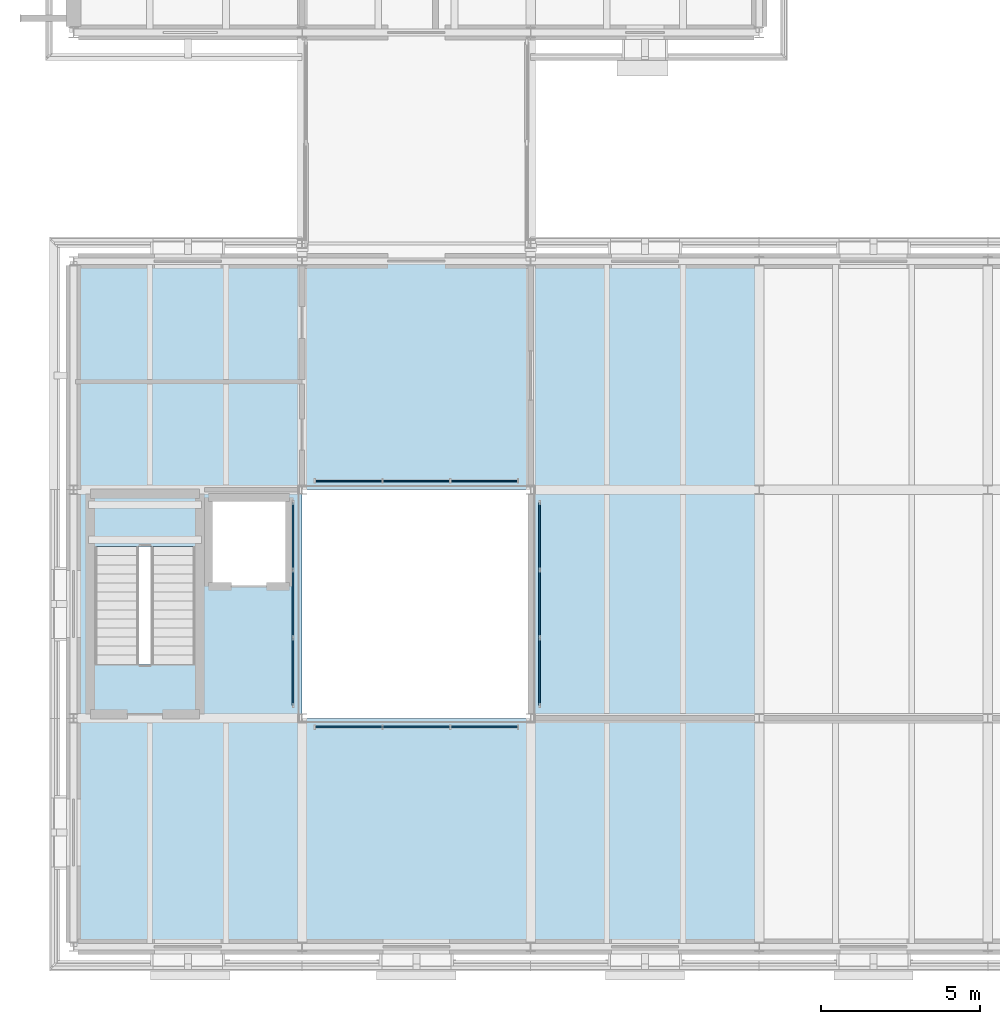
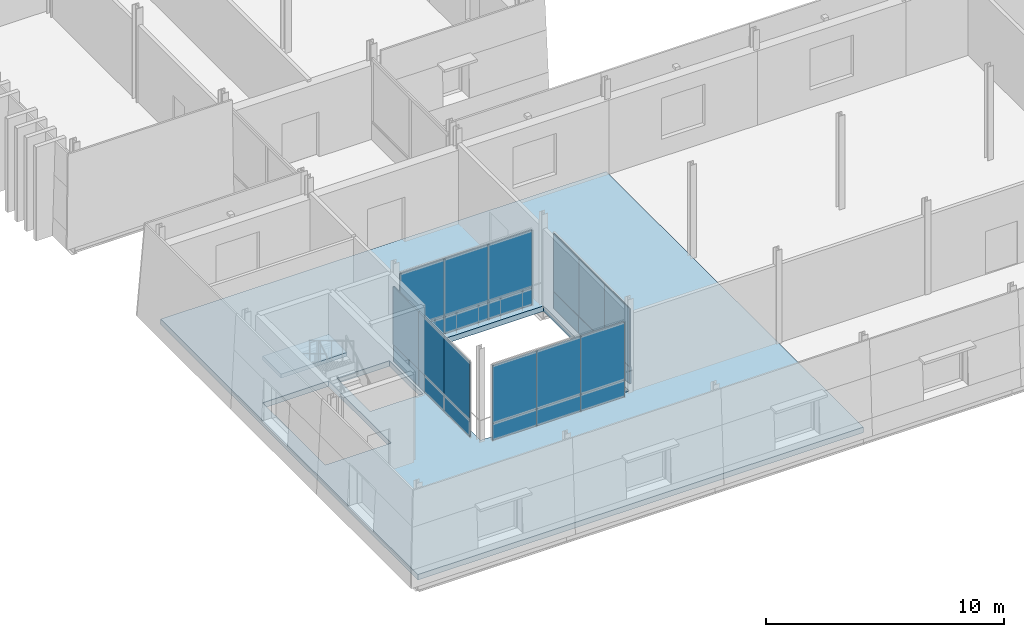
# One storey, part 50 of 121: 24 plates, 2 slabs, 5 elements without a shape of their own.
"""IFC4 building model written with IfcOpenShell, lengths in metres."""

from ifc_helpers import new_model, si_unit, direction, frame, origin, origin_2d, place, context, subcontext, project, spatial, polyline, rectangle, outline, extrude, material, layer, layer_set, type_object, element, aggregate, save


model = new_model("IFC4")

# Units and contexts
model_context = context("Model", 3, precision=1e-05, world=origin(), true_north=direction((0.0, 1.0)))
body_context = subcontext(model_context, "Body", "Model", "MODEL_VIEW")
ifc_project = project(units=[si_unit("LENGTHUNIT", "METRE"), si_unit("AREAUNIT", "SQUARE_METRE"), si_unit("VOLUMEUNIT", "CUBIC_METRE"), si_unit("PLANEANGLEUNIT", "RADIAN"), si_unit("MASSUNIT", "GRAM", prefix="KILO")], contexts=[model_context])

# Site, building, storey
site_placement = place(None, origin())
site = spatial("IfcSite", under=ifc_project, at=site_placement, CompositionType="ELEMENT")
building_placement = place(site_placement, origin())
building = spatial("IfcBuilding", under=site, at=building_placement, Name="Narikvali Park Central Library", CompositionType="ELEMENT")
storey_placement = place(building_placement, frame((0.0, 0.0, 5.39990234375)))
storey = spatial("IfcBuildingStorey", under=building, at=storey_placement, Name="L01", CompositionType="ELEMENT", Elevation=5.39990234375)

# Slab
ifc_material_1 = material(Name="Concrete C35/45", Category="concrete")
ifc_layer_1 = layer(ifc_material_1, 0.280029296875, Name="Concrete C35/45")
ifc_layer_set_1 = layer_set([ifc_layer_1], Name="Concrete C35/45")
slab_type_1 = type_object("IfcSlabType", Name="Composite Reading Floor Slab 280", PredefinedType="FLOOR", material=ifc_layer_set_1)
slab_1_placement = place(storey_placement, frame((0.0, 0.0, -0.27978515625)))
element("IfcSlab", 1, at=slab_1_placement, inside=storey, type_object=slab_type_1, Name="V2 L01 Structural Slab Panel 1", PredefinedType="FLOOR", context=body_context, shape_type="SweptSolid", body=[
    extrude(outline(polyline([(0.0, 0.0), (21.60009765625, 0.0), (21.60009765625, 21.60009765625), (0.0, 21.60009765625), (0.0, 0.0)]), holes=[polyline([(0.64990234375, 8.89990234375), (3.85009765625, 8.89990234375), (3.85009765625, 14.14990234375), (0.64990234375, 14.14990234375), (0.64990234375, 8.89990234375)]), polyline([(4.25, 11.35009765625), (6.800048828125, 11.35009765625), (6.800048828125, 14.14990234375), (4.25, 14.14990234375), (4.25, 11.35009765625)]), polyline([(7.199951171875, 7.199951171875), (14.39990234375, 7.199951171875), (14.39990234375, 14.39990234375), (7.199951171875, 14.39990234375), (7.199951171875, 7.199951171875)])]), origin(), (0.0, 0.0, 1.0), 0.27978515625),
])

# Curtain wall, plates
ifc_material_2 = material(Name="Anodised Bronze Aluminium", Category="aluminium")
ifc_layer_2 = layer(ifc_material_2, 0.219970703125, Name="Anodised Bronze Aluminium")
ifc_layer_set_2 = layer_set([ifc_layer_2], Name="Anodised Bronze Aluminium")
curtain_wall_type = type_object("IfcCurtainWallType", Name="Atrium Tall Curtain Wall System", PredefinedType="NOTDEFINED", material=ifc_layer_set_2)
curtain_wall_1_placement = place(storey_placement, origin())
curtain_wall_1 = element("IfcCurtainWall", 2, at=curtain_wall_1_placement, inside=storey, type_object=curtain_wall_type, Name="Atrium Tall Curtain Wall System CW-INT-V2-L01-W1", PredefinedType="NOTDEFINED")
ifc_material_3 = material(Name="Heavy Acoustic Laminated Clerestory Glazing", Category="glass")
ifc_layer_3 = layer(ifc_material_3, 0.06396484375, Name="Heavy Acoustic Laminated Clerestory Glazing")
ifc_layer_set_3 = layer_set([ifc_layer_3], Name="Heavy Acoustic Laminated Clerestory Glazing")
plate_type_1 = type_object("IfcPlateType", Name="Curtain Wall Clerestory Laminated Acoustic Glass 64", PredefinedType="CURTAIN_PANEL", material=ifc_layer_set_3)
plate_1_placement = place(storey_placement, frame((6.919921875, 8.666748046875, 0.905029296875), z_axis=(0.0, 0.0, 1.0), x_axis=(0.0, 1.0, 0.0)))
plate_1 = element("IfcPlate", 3, at=plate_1_placement, type_object=plate_type_1, Name="CW-INT-V2-L01-W1 Panel 00-1", PredefinedType="CURTAIN_PANEL", context=body_context, shape_type="SweptSolid", body=[
    extrude(rectangle(XDim=2.123291015625, YDim=0.06396484375, at=origin_2d()), origin(), (0.0, 0.0, 1.0), 2.9599609375),
])
plate_2_placement = place(storey_placement, frame((6.919921875, 10.800048828125, 0.905029296875), z_axis=(0.0, 0.0, 1.0), x_axis=(0.0, 1.0, 0.0)))
plate_2 = element("IfcPlate", 4, at=plate_2_placement, type_object=plate_type_1, Name="CW-INT-V2-L01-W1 Panel 01-1", PredefinedType="CURTAIN_PANEL", context=body_context, shape_type="SweptSolid", body=[
    extrude(rectangle(XDim=2.123291015625, YDim=0.06396484375, at=origin_2d()), origin(), (0.0, 0.0, 1.0), 2.9599609375),
])
plate_3_placement = place(storey_placement, frame((6.919921875, 12.933349609375, 0.905029296875), z_axis=(0.0, 0.0, 1.0), x_axis=(0.0, 1.0, 0.0)))
plate_3 = element("IfcPlate", 5, at=plate_3_placement, type_object=plate_type_1, Name="CW-INT-V2-L01-W1 Panel 02-1", PredefinedType="CURTAIN_PANEL", context=body_context, shape_type="SweptSolid", body=[
    extrude(rectangle(XDim=2.123291015625, YDim=0.06396484375, at=origin_2d()), origin(), (0.0, 0.0, 1.0), 2.9599609375),
])

curtain_wall_2_placement = place(storey_placement, origin())
curtain_wall_2 = element("IfcCurtainWall", 6, at=curtain_wall_2_placement, inside=storey, type_object=curtain_wall_type, Name="Atrium Tall Curtain Wall System CW-INT-V2-L01-E1", PredefinedType="NOTDEFINED")
plate_4_placement = place(storey_placement, frame((14.679931640625, 8.666748046875, 0.03515625), z_axis=(0.0, 0.0, 1.0), x_axis=(0.0, 1.0, 0.0)))
plate_4 = element("IfcPlate", 7, at=plate_4_placement, type_object=plate_type_1, Name="CW-INT-V2-L01-E1 Panel 00-0", PredefinedType="CURTAIN_PANEL", context=body_context, shape_type="SweptSolid", body=[
    extrude(rectangle(XDim=2.123291015625, YDim=0.06396484375, at=origin_2d()), origin(), (0.0, 0.0, 1.0), 0.860107421875),
])
plate_5_placement = place(storey_placement, frame((14.679931640625, 10.800048828125, 0.03515625), z_axis=(0.0, 0.0, 1.0), x_axis=(0.0, 1.0, 0.0)))
plate_5 = element("IfcPlate", 8, at=plate_5_placement, type_object=plate_type_1, Name="CW-INT-V2-L01-E1 Panel 01-0", PredefinedType="CURTAIN_PANEL", context=body_context, shape_type="SweptSolid", body=[
    extrude(rectangle(XDim=2.123291015625, YDim=0.06396484375, at=origin_2d()), origin(), (0.0, 0.0, 1.0), 0.860107421875),
])
plate_6_placement = place(storey_placement, frame((14.679931640625, 12.933349609375, 0.03515625), z_axis=(0.0, 0.0, 1.0), x_axis=(0.0, 1.0, 0.0)))
plate_6 = element("IfcPlate", 9, at=plate_6_placement, type_object=plate_type_1, Name="CW-INT-V2-L01-E1 Panel 02-0", PredefinedType="CURTAIN_PANEL", context=body_context, shape_type="SweptSolid", body=[
    extrude(rectangle(XDim=2.123291015625, YDim=0.06396484375, at=origin_2d()), origin(), (0.0, 0.0, 1.0), 0.860107421875),
])

curtain_wall_3_placement = place(storey_placement, origin())
curtain_wall_3 = element("IfcCurtainWall", 10, at=curtain_wall_3_placement, inside=storey, type_object=curtain_wall_type, Name="Atrium Tall Curtain Wall System CW-INT-V2-L01-S1", PredefinedType="NOTDEFINED")
plate_7_placement = place(storey_placement, frame((8.666748046875, 6.919921875, 0.905029296875), z_axis=(0.0, 0.0, 1.0), x_axis=(1.0, 0.0, 0.0)))
plate_7 = element("IfcPlate", 11, at=plate_7_placement, type_object=plate_type_1, Name="CW-INT-V2-L01-S1 Panel 00-1", PredefinedType="CURTAIN_PANEL", context=body_context, shape_type="SweptSolid", body=[
    extrude(rectangle(XDim=2.123291015625, YDim=0.06396484375, at=origin_2d()), origin(), (0.0, 0.0, 1.0), 2.9599609375),
])
plate_8_placement = place(storey_placement, frame((10.800048828125, 6.919921875, 0.905029296875), z_axis=(0.0, 0.0, 1.0), x_axis=(1.0, 0.0, 0.0)))
plate_8 = element("IfcPlate", 12, at=plate_8_placement, type_object=plate_type_1, Name="CW-INT-V2-L01-S1 Panel 01-1", PredefinedType="CURTAIN_PANEL", context=body_context, shape_type="SweptSolid", body=[
    extrude(rectangle(XDim=2.123291015625, YDim=0.06396484375, at=origin_2d()), origin(), (0.0, 0.0, 1.0), 2.9599609375),
])
plate_9_placement = place(storey_placement, frame((12.933349609375, 6.919921875, 0.905029296875), z_axis=(0.0, 0.0, 1.0), x_axis=(1.0, 0.0, 0.0)))
plate_9 = element("IfcPlate", 13, at=plate_9_placement, type_object=plate_type_1, Name="CW-INT-V2-L01-S1 Panel 02-1", PredefinedType="CURTAIN_PANEL", context=body_context, shape_type="SweptSolid", body=[
    extrude(rectangle(XDim=2.123291015625, YDim=0.06396484375, at=origin_2d()), origin(), (0.0, 0.0, 1.0), 2.9599609375),
])

# Plate
ifc_material_4 = material(Name="Double Low-E Tempered Vision Glazing", Category="glass")
ifc_layer_4 = layer(ifc_material_4, 0.035888671875, Name="Double Low-E Tempered Vision Glazing")
ifc_layer_set_4 = layer_set([ifc_layer_4], Name="Double Low-E Tempered Vision Glazing")
plate_type_2 = type_object("IfcPlateType", Name="Curtain Wall Double Low-E Vision Glazing 36", PredefinedType="CURTAIN_PANEL", material=ifc_layer_set_4)
plate_10_placement = place(storey_placement, frame((14.679931640625, 8.666748046875, 0.905029296875), z_axis=(0.0, 0.0, 1.0), x_axis=(0.0, 1.0, 0.0)))
plate_10 = element("IfcPlate", 14, at=plate_10_placement, type_object=plate_type_2, Name="CW-INT-V2-L01-E1 Panel 00-1", PredefinedType="CURTAIN_PANEL", context=body_context, shape_type="SweptSolid", body=[
    extrude(rectangle(XDim=2.123291015625, YDim=0.035888671875, at=origin_2d()), origin(), (0.0, 0.0, 1.0), 2.9599609375),
])

plate_11_placement = place(storey_placement, frame((14.679931640625, 10.800048828125, 0.905029296875), z_axis=(0.0, 0.0, 1.0), x_axis=(0.0, 1.0, 0.0)))
plate_11 = element("IfcPlate", 15, at=plate_11_placement, type_object=plate_type_2, Name="CW-INT-V2-L01-E1 Panel 01-1", PredefinedType="CURTAIN_PANEL", context=body_context, shape_type="SweptSolid", body=[
    extrude(rectangle(XDim=2.123291015625, YDim=0.035888671875, at=origin_2d()), origin(), (0.0, 0.0, 1.0), 2.9599609375),
])

plate_12_placement = place(storey_placement, frame((14.679931640625, 12.933349609375, 0.905029296875), z_axis=(0.0, 0.0, 1.0), x_axis=(0.0, 1.0, 0.0)))
plate_12 = element("IfcPlate", 16, at=plate_12_placement, type_object=plate_type_2, Name="CW-INT-V2-L01-E1 Panel 02-1", PredefinedType="CURTAIN_PANEL", context=body_context, shape_type="SweptSolid", body=[
    extrude(rectangle(XDim=2.123291015625, YDim=0.035888671875, at=origin_2d()), origin(), (0.0, 0.0, 1.0), 2.9599609375),
])

aggregate(curtain_wall_2, [plate_4, plate_10, plate_5, plate_11, plate_6, plate_12])

# Curtain wall, plates
curtain_wall_4_placement = place(storey_placement, origin())
curtain_wall_4 = element("IfcCurtainWall", 17, at=curtain_wall_4_placement, inside=storey, type_object=curtain_wall_type, Name="Atrium Tall Curtain Wall System CW-INT-V2-L01-N1", PredefinedType="NOTDEFINED")
plate_13_placement = place(storey_placement, frame((8.666748046875, 14.679931640625, 0.03515625), z_axis=(0.0, 0.0, 1.0), x_axis=(1.0, 0.0, 0.0)))
plate_13 = element("IfcPlate", 18, at=plate_13_placement, type_object=plate_type_2, Name="CW-INT-V2-L01-N1 Panel 00-0", PredefinedType="CURTAIN_PANEL", context=body_context, shape_type="SweptSolid", body=[
    extrude(rectangle(XDim=2.123291015625, YDim=0.035888671875, at=origin_2d()), origin(), (0.0, 0.0, 1.0), 0.860107421875),
])
plate_14_placement = place(storey_placement, frame((10.800048828125, 14.679931640625, 0.03515625), z_axis=(0.0, 0.0, 1.0), x_axis=(1.0, 0.0, 0.0)))
plate_14 = element("IfcPlate", 19, at=plate_14_placement, type_object=plate_type_2, Name="CW-INT-V2-L01-N1 Panel 01-0", PredefinedType="CURTAIN_PANEL", context=body_context, shape_type="SweptSolid", body=[
    extrude(rectangle(XDim=2.123291015625, YDim=0.035888671875, at=origin_2d()), origin(), (0.0, 0.0, 1.0), 0.860107421875),
])
plate_15_placement = place(storey_placement, frame((12.933349609375, 14.679931640625, 0.03515625), z_axis=(0.0, 0.0, 1.0), x_axis=(1.0, 0.0, 0.0)))
plate_15 = element("IfcPlate", 20, at=plate_15_placement, type_object=plate_type_2, Name="CW-INT-V2-L01-N1 Panel 02-0", PredefinedType="CURTAIN_PANEL", context=body_context, shape_type="SweptSolid", body=[
    extrude(rectangle(XDim=2.123291015625, YDim=0.035888671875, at=origin_2d()), origin(), (0.0, 0.0, 1.0), 0.860107421875),
])

# Plate
ifc_material_5 = material(Name="Triple Low-E Acoustic Laminated Glazing", Category="glass")
ifc_layer_5 = layer(ifc_material_5, 0.048095703125, Name="Triple Low-E Acoustic Laminated Glazing")
ifc_layer_set_5 = layer_set([ifc_layer_5], Name="Triple Low-E Acoustic Laminated Glazing")
plate_type_3 = type_object("IfcPlateType", Name="Curtain Wall Triple Solar-Acoustic Glazing 48", PredefinedType="CURTAIN_PANEL", material=ifc_layer_set_5)
plate_16_placement = place(storey_placement, frame((6.919921875, 8.666748046875, 0.03515625), z_axis=(0.0, 0.0, 1.0), x_axis=(0.0, 1.0, 0.0)))
plate_16 = element("IfcPlate", 21, at=plate_16_placement, type_object=plate_type_3, Name="CW-INT-V2-L01-W1 Panel 00-0", PredefinedType="CURTAIN_PANEL", context=body_context, shape_type="SweptSolid", body=[
    extrude(rectangle(XDim=2.123291015625, YDim=0.048095703125, at=origin_2d()), origin(), (0.0, 0.0, 1.0), 0.860107421875),
])

plate_17_placement = place(storey_placement, frame((6.919921875, 10.800048828125, 0.03515625), z_axis=(0.0, 0.0, 1.0), x_axis=(0.0, 1.0, 0.0)))
plate_17 = element("IfcPlate", 22, at=plate_17_placement, type_object=plate_type_3, Name="CW-INT-V2-L01-W1 Panel 01-0", PredefinedType="CURTAIN_PANEL", context=body_context, shape_type="SweptSolid", body=[
    extrude(rectangle(XDim=2.123291015625, YDim=0.048095703125, at=origin_2d()), origin(), (0.0, 0.0, 1.0), 0.860107421875),
])

plate_18_placement = place(storey_placement, frame((6.919921875, 12.933349609375, 0.03515625), z_axis=(0.0, 0.0, 1.0), x_axis=(0.0, 1.0, 0.0)))
plate_18 = element("IfcPlate", 23, at=plate_18_placement, type_object=plate_type_3, Name="CW-INT-V2-L01-W1 Panel 02-0", PredefinedType="CURTAIN_PANEL", context=body_context, shape_type="SweptSolid", body=[
    extrude(rectangle(XDim=2.123291015625, YDim=0.048095703125, at=origin_2d()), origin(), (0.0, 0.0, 1.0), 0.860107421875),
])

aggregate(curtain_wall_1, [plate_16, plate_1, plate_17, plate_2, plate_18, plate_3])

plate_19_placement = place(storey_placement, frame((8.666748046875, 14.679931640625, 0.905029296875), z_axis=(0.0, 0.0, 1.0), x_axis=(1.0, 0.0, 0.0)))
plate_19 = element("IfcPlate", 24, at=plate_19_placement, type_object=plate_type_3, Name="CW-INT-V2-L01-N1 Panel 00-1", PredefinedType="CURTAIN_PANEL", context=body_context, shape_type="SweptSolid", body=[
    extrude(rectangle(XDim=2.123291015625, YDim=0.048095703125, at=origin_2d()), origin(), (0.0, 0.0, 1.0), 2.9599609375),
])

plate_20_placement = place(storey_placement, frame((10.800048828125, 14.679931640625, 0.905029296875), z_axis=(0.0, 0.0, 1.0), x_axis=(1.0, 0.0, 0.0)))
plate_20 = element("IfcPlate", 25, at=plate_20_placement, type_object=plate_type_3, Name="CW-INT-V2-L01-N1 Panel 01-1", PredefinedType="CURTAIN_PANEL", context=body_context, shape_type="SweptSolid", body=[
    extrude(rectangle(XDim=2.123291015625, YDim=0.048095703125, at=origin_2d()), origin(), (0.0, 0.0, 1.0), 2.9599609375),
])

plate_21_placement = place(storey_placement, frame((12.933349609375, 14.679931640625, 0.905029296875), z_axis=(0.0, 0.0, 1.0), x_axis=(1.0, 0.0, 0.0)))
plate_21 = element("IfcPlate", 26, at=plate_21_placement, type_object=plate_type_3, Name="CW-INT-V2-L01-N1 Panel 02-1", PredefinedType="CURTAIN_PANEL", context=body_context, shape_type="SweptSolid", body=[
    extrude(rectangle(XDim=2.123291015625, YDim=0.048095703125, at=origin_2d()), origin(), (0.0, 0.0, 1.0), 2.9599609375),
])

aggregate(curtain_wall_4, [plate_13, plate_19, plate_14, plate_20, plate_15, plate_21])

plate_22_placement = place(storey_placement, frame((8.666748046875, 6.919921875, 0.03515625), z_axis=(0.0, 0.0, 1.0), x_axis=(1.0, 0.0, 0.0)))
plate_22 = element("IfcPlate", 27, at=plate_22_placement, type_object=plate_type_3, Name="CW-INT-V2-L01-S1 Panel 00-0", PredefinedType="CURTAIN_PANEL", context=body_context, shape_type="SweptSolid", body=[
    extrude(rectangle(XDim=2.123291015625, YDim=0.048095703125, at=origin_2d()), origin(), (0.0, 0.0, 1.0), 0.860107421875),
])

plate_23_placement = place(storey_placement, frame((10.800048828125, 6.919921875, 0.03515625), z_axis=(0.0, 0.0, 1.0), x_axis=(1.0, 0.0, 0.0)))
plate_23 = element("IfcPlate", 28, at=plate_23_placement, type_object=plate_type_3, Name="CW-INT-V2-L01-S1 Panel 01-0", PredefinedType="CURTAIN_PANEL", context=body_context, shape_type="SweptSolid", body=[
    extrude(rectangle(XDim=2.123291015625, YDim=0.048095703125, at=origin_2d()), origin(), (0.0, 0.0, 1.0), 0.860107421875),
])

plate_24_placement = place(storey_placement, frame((12.933349609375, 6.919921875, 0.03515625), z_axis=(0.0, 0.0, 1.0), x_axis=(1.0, 0.0, 0.0)))
plate_24 = element("IfcPlate", 29, at=plate_24_placement, type_object=plate_type_3, Name="CW-INT-V2-L01-S1 Panel 02-0", PredefinedType="CURTAIN_PANEL", context=body_context, shape_type="SweptSolid", body=[
    extrude(rectangle(XDim=2.123291015625, YDim=0.048095703125, at=origin_2d()), origin(), (0.0, 0.0, 1.0), 0.860107421875),
])

aggregate(curtain_wall_3, [plate_22, plate_7, plate_23, plate_8, plate_24, plate_9])

# Stair, slab
stair_type = type_object("IfcStairType", Name="Core Enclosed Two-Flight Exit Stair", PredefinedType="HALF_TURN_STAIR", material=ifc_material_1)
stair_placement = place(storey_placement, origin())
stair = element("IfcStair", 30, at=stair_placement, inside=storey, type_object=stair_type, Name="L01 Exit Stair ST-03", PredefinedType="HALF_TURN_STAIR")
ifc_layer_6 = layer(ifc_material_1, 0.199951171875, Name="Concrete C35/45")
ifc_layer_set_6 = layer_set([ifc_layer_6], Name="Concrete C35/45")
slab_type_2 = type_object("IfcSlabType", Name="Stair Half-Landing Concrete Slab 200", PredefinedType="LANDING", material=ifc_layer_set_6)
slab_2_placement = place(storey_placement, frame((0.0, 0.0, 2.2001953125)))
slab_2 = element("IfcSlab", 31, at=slab_2_placement, type_object=slab_type_2, Name="ST-03 landing 1", PredefinedType="LANDING", context=body_context, shape_type="SweptSolid", body=[
    extrude(outline(polyline([(3.85009765625, 12.60498046875), (3.85009765625, 14.14990234375), (0.64990234375, 14.14990234375), (0.64990234375, 12.60498046875), (3.85009765625, 12.60498046875)])), origin(), (0.0, 0.0, 1.0), 0.199951171875),
])
aggregate(stair, [slab_2])

save(model, "model.ifc")
